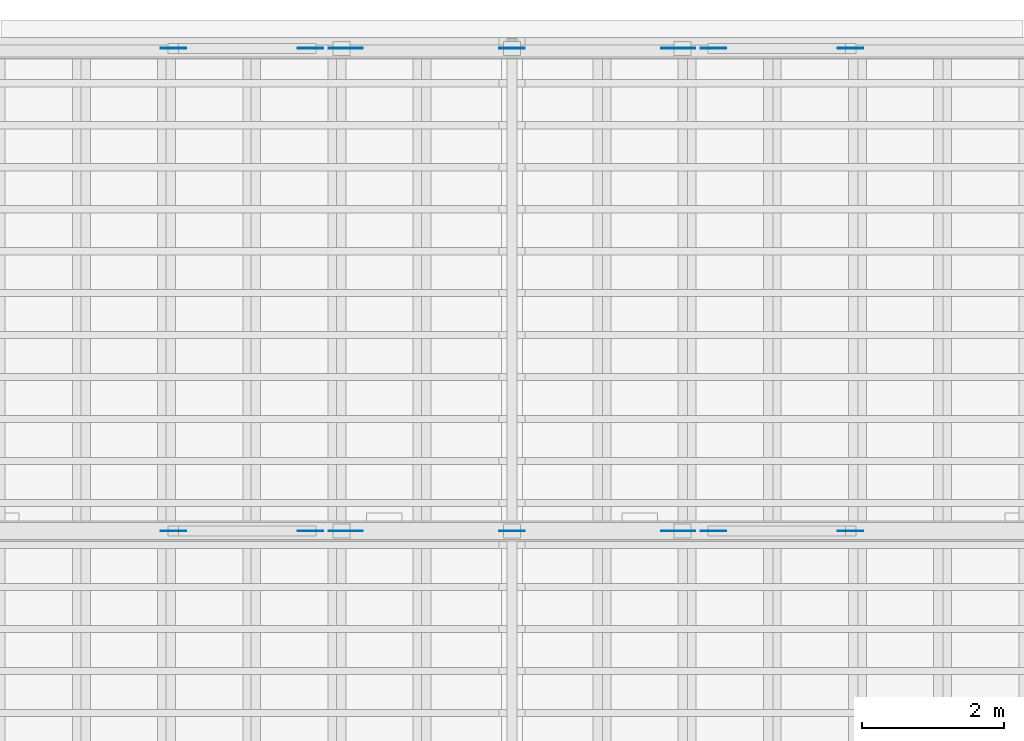
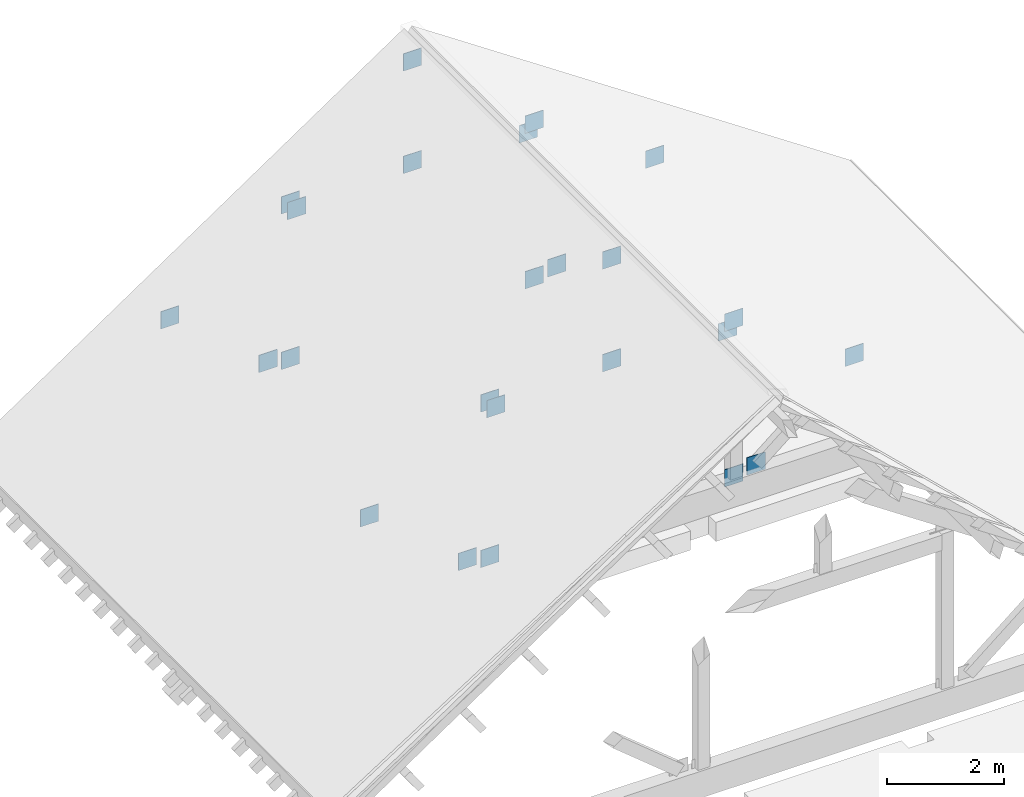
# One storey, part 40 of 51: 24 discrete accessories.
"""IFC4 building model written with IfcOpenShell, lengths in metres."""

from ifc_helpers import new_model, si_unit, direction, frame, origin, origin_2d, place, context, subcontext, project, spatial, rectangle, extrude, material, type_object, element, save


model = new_model("IFC4")

# Units and contexts
model_context = context("Model", 3, precision=1e-05, world=origin(), true_north=direction((0.0, 1.0)))
body_context = subcontext(model_context, "Body", "Model", "MODEL_VIEW")
ifc_project = project(units=[si_unit("LENGTHUNIT", "METRE"), si_unit("AREAUNIT", "SQUARE_METRE"), si_unit("VOLUMEUNIT", "CUBIC_METRE"), si_unit("PLANEANGLEUNIT", "RADIAN"), si_unit("MASSUNIT", "GRAM", prefix="KILO")], contexts=[model_context])

# Site, building, storey
site_placement = place(None, origin())
site = spatial("IfcSite", under=ifc_project, at=site_placement, CompositionType="ELEMENT")
building_placement = place(site_placement, origin())
building = spatial("IfcBuilding", under=site, at=building_placement, Name="Mazhai Court Health Centre", CompositionType="ELEMENT")
storey_placement = place(building_placement, frame((0.0, 0.0, 14.10009765625)))
storey = spatial("IfcBuildingStorey", under=building, at=storey_placement, Name="L03", CompositionType="ELEMENT", Elevation=14.10009765625)

# Discrete accessories
ifc_material = material(Name="Steel IS 2062 E250", Category="steel")
discrete_accessory_type = type_object("IfcDiscreteAccessoryType", Name="TRUSS NODE PLATE 12", PredefinedType="BRACKET", material=ifc_material)
for number, where, z_axis, x_axis, name in (
    (1, (145.39990234375, 42.199951171875, 0.3798828125), (0.0, 0.0, 1.0), (1.0, 0.0, 0.0), "Node plate Post TV6-6-P1 end a"),
    (2, (145.39990234375, 42.199951171875, 3.61767578125), (0.0, 0.0, 1.0), (1.0, 0.0, 0.0), "Node plate Post TV6-6-P1 end b"),
    (3, (140.60009765625, 42.199951171875, 0.3798828125), (0.0, 0.0, 1.0), (1.0, 0.0, 0.0), "Node plate Post TV6-6-P2 end a"),
    (4, (140.60009765625, 42.199951171875, 3.61767578125), (0.0, 0.0, 1.0), (1.0, 0.0, 0.0), "Node plate Post TV6-6-P2 end b"),
    (5, (145.280029296875, 42.199951171875, 3.45751953125), (0.0, 0.0, 1.0), (1.0, 0.0, 0.0), "Node plate Collar TV6-6-SB1 end a"),
    (6, (140.719970703125, 42.199951171875, 3.45751953125), (0.0, 0.0, 1.0), (1.0, 0.0, 0.0), "Node plate Collar TV6-6-SB1 end b"),
    (7, (143.0, 42.199951171875, 3.61767578125), (0.0, 0.0, 1.0), (1.0, 0.0, 0.0), "Node plate Post TV6-6-P3 end a"),
    (8, (143.0, 42.199951171875, 5.7529296875), (0.0, 0.0, 1.0), (1.0, 0.0, 0.0), "Node plate Post TV6-6-P3 end b"),
    (9, (145.8408203125, 42.199951171875, 0.47265625), (0.0, 0.0, 1.0), (1.0, 0.0, 0.0), "Node plate Strut TV6-6-S1 end a"),
    (10, (147.772216796875, 42.199951171875, 2.056640625), (0.0, 0.0, 1.0), (1.0, 0.0, 0.0), "Node plate Strut TV6-6-S1 end b"),
    (11, (140.1591796875, 42.199951171875, 0.47265625), (0.0, 0.0, 1.0), (1.0, 0.0, 0.0), "Node plate Strut TV6-6-S2 end a"),
    (12, (138.227783203125, 42.199951171875, 2.056640625), (0.0, 0.0, 1.0), (1.0, 0.0, 0.0), "Node plate Strut TV6-6-S2 end b"),
    (13, (145.39990234375, 49.0, 0.3798828125), (0.0, 0.0, 1.0), (1.0, 0.0, 0.0), "Node plate Post TV6-7-P1 end a"),
    (14, (145.39990234375, 49.0, 3.61767578125), (0.0, 0.0, 1.0), (1.0, 0.0, 0.0), "Node plate Post TV6-7-P1 end b"),
    (15, (140.60009765625, 49.0, 0.3798828125), (0.0, 0.0, 1.0), (1.0, 0.0, 0.0), "Node plate Post TV6-7-P2 end a"),
    (16, (140.60009765625, 49.0, 3.61767578125), (0.0, 0.0, 1.0), (1.0, 0.0, 0.0), "Node plate Post TV6-7-P2 end b"),
    (17, (145.280029296875, 49.0, 3.45751953125), (0.0, 0.0, 1.0), (1.0, 0.0, 0.0), "Node plate Collar TV6-7-SB1 end a"),
    (18, (140.719970703125, 49.0, 3.45751953125), (0.0, 0.0, 1.0), (1.0, 0.0, 0.0), "Node plate Collar TV6-7-SB1 end b"),
    (19, (143.0, 49.0, 3.61767578125), (0.0, 0.0, 1.0), (1.0, 0.0, 0.0), "Node plate Post TV6-7-P3 end a"),
    (20, (143.0, 49.0, 5.7529296875), (0.0, 0.0, 1.0), (1.0, 0.0, 0.0), "Node plate Post TV6-7-P3 end b"),
    (21, (145.8408203125, 49.0, 0.47265625), (0.0, 0.0, 1.0), (1.0, 0.0, 0.0), "Node plate Strut TV6-7-S1 end a"),
    (22, (147.772216796875, 49.0, 2.056640625), (0.0, 0.0, 1.0), (1.0, 0.0, 0.0), "Node plate Strut TV6-7-S1 end b"),
    (23, (140.1591796875, 49.0, 0.47265625), (0.0, 0.0, 1.0), (1.0, 0.0, 0.0), "Node plate Strut TV6-7-S2 end a"),
    (24, (138.227783203125, 49.0, 2.056640625), (0.0, 0.0, 1.0), (1.0, 0.0, 0.0), "Node plate Strut TV6-7-S2 end b"),
):
    element("IfcDiscreteAccessory", number, at=place(storey_placement, frame(where, z_axis=z_axis, x_axis=x_axis)), inside=storey, type_object=discrete_accessory_type, Name=name, PredefinedType="BRACKET", context=body_context, shape_type="SweptSolid", body=[
        extrude(rectangle(XDim=0.360107421875, YDim=0.011962890625, at=origin_2d()), origin(), (0.0, 0.0, 1.0), 0.360107421875),
    ])

save(model, "model.ifc")
